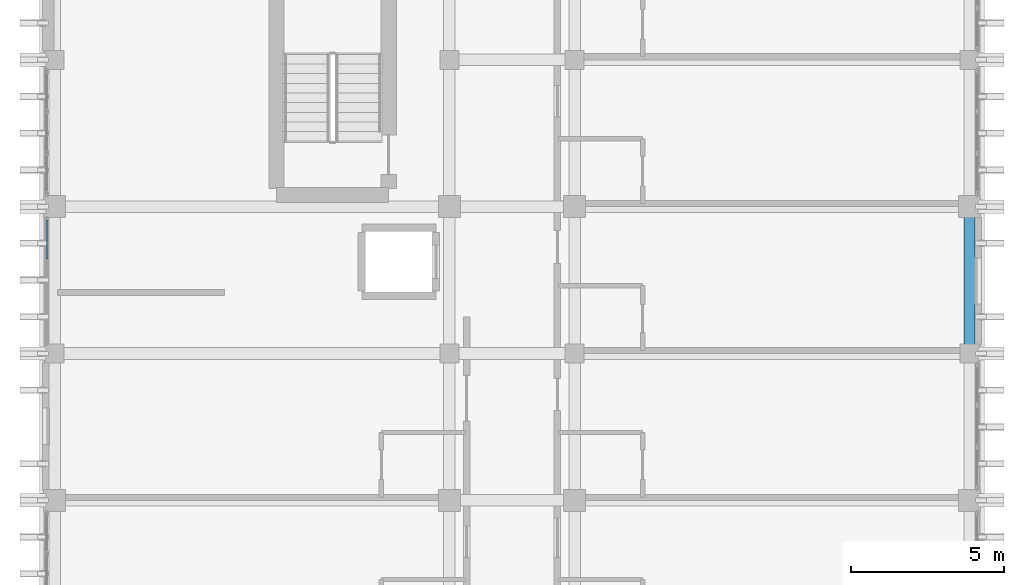
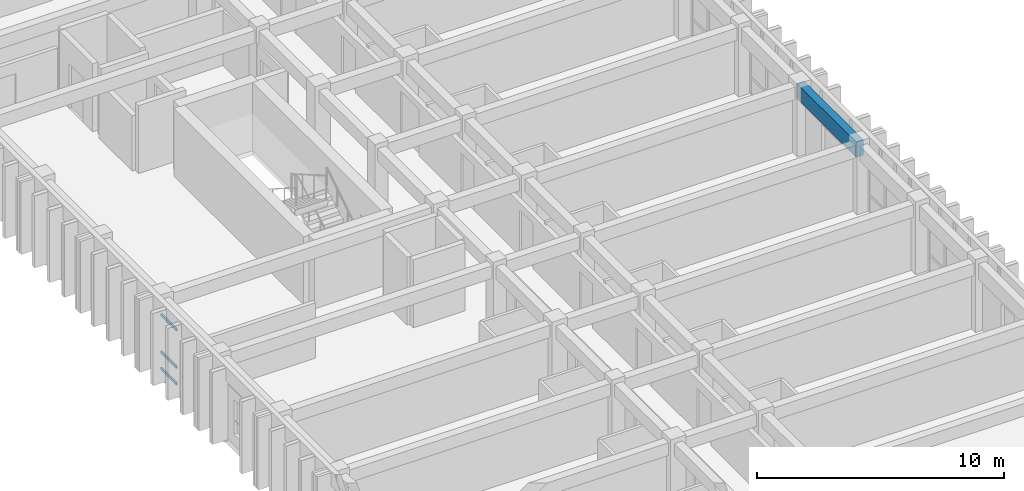
# One storey, part 17 of 59: 3 members, 1 beam, 1 element without a shape of its own.
"""IFC4 building model written with IfcOpenShell, lengths in metres."""

from ifc_helpers import new_model, si_unit, direction, frame, origin, origin_2d, place, context, subcontext, project, spatial, rectangle, hollow_rectangle, extrude, material, layer, layer_set, material_profile, profile_set, type_object, element, aggregate, save


model = new_model("IFC4")

# Units and contexts
model_context = context("Model", 3, precision=1e-05, world=origin(), true_north=direction((0.0, 1.0)))
body_context = subcontext(model_context, "Body", "Model", "MODEL_VIEW")
ifc_project = project(units=[si_unit("LENGTHUNIT", "METRE"), si_unit("AREAUNIT", "SQUARE_METRE"), si_unit("VOLUMEUNIT", "CUBIC_METRE"), si_unit("PLANEANGLEUNIT", "RADIAN"), si_unit("MASSUNIT", "GRAM", prefix="KILO")], contexts=[model_context])

# Site, building, storey
site_placement = place(None, origin())
site = spatial("IfcSite", under=ifc_project, at=site_placement, CompositionType="ELEMENT")
building_placement = place(site_placement, origin())
building = spatial("IfcBuilding", under=site, at=building_placement, Name="Nakhvara Creek Congress Hotel", CompositionType="ELEMENT")
storey_placement = place(building_placement, frame((0.0, 0.0, 31.800048828125)))
storey = spatial("IfcBuildingStorey", under=building, at=storey_placement, Name="L07", CompositionType="ELEMENT", Elevation=31.800048828125)

# Beam
ifc_material_1 = material(Name="Concrete C40/50", Category="concrete")
ifc_material_profile_1 = material_profile(ifc_material_1, rectangle(XDim=0.35009765625, YDim=0.75, at=origin_2d()), Name="RC-SPANDREL 350x750", Category="LoadBearing")
ifc_profile_set_1 = profile_set([ifc_material_profile_1], Name="Concrete C40/50")
beam_type = type_object("IfcBeamType", Name="BM-SPN-350X750", PredefinedType="SPANDREL", material=ifc_profile_set_1)
beam_placement = place(storey_placement, frame((179.35009765625, 72.0, 2.98486328125), z_axis=(0.0, 1.0, 0.0), x_axis=(-1.0, 0.0, 0.0)))
element("IfcBeam", 1, at=beam_placement, inside=storey, type_object=beam_type, Name="Beam SP1-L07-2396", PredefinedType="SPANDREL", context=body_context, shape_type="SweptSolid", body=[
    extrude(rectangle(XDim=0.35009765625, YDim=0.75, at=origin_2d()), origin(), (0.0, 0.0, 1.0), 4.800048828125),
])

# Curtain wall, members
ifc_material_2 = material(Name="Bronze-anodised aluminium AW-6063-T6 and double-silver low-E glass", Category="aluminium")
ifc_layer = layer(ifc_material_2, 0.199951171875)
ifc_layer_set = layer_set([ifc_layer], Name="Bronze-anodised aluminium AW-6063-T6 and double-silver low-E glass")
curtain_wall_type = type_object("IfcCurtainWallType", Name="CW-HTL-UNIT", PredefinedType="USERDEFINED", material=ifc_layer_set)
curtain_wall_placement = place(storey_placement, origin())
curtain_wall = element("IfcCurtainWall", 2, at=curtain_wall_placement, inside=storey, type_object=curtain_wall_type, Name="Curtain Wall CW260", ObjectType="UNITISED", PredefinedType="USERDEFINED")
ifc_material_3 = material(Name="Bronze-anodised aluminium AW-6063-T6", Category="aluminium")
ifc_material_profile_2 = material_profile(ifc_material_3, hollow_rectangle(XDim=0.06494140625, YDim=0.1201171875, WallThickness=0.00390625, at=origin_2d()), Name="ALU-TRAN 65x120x4", Category="LoadBearing")
ifc_profile_set_2 = profile_set([ifc_material_profile_2], Name="Bronze-anodised aluminium AW-6063-T6")
member_type = type_object("IfcMemberType", Name="CW-TRAN-120", PredefinedType="USERDEFINED", material=ifc_profile_set_2)
member_1_placement = place(storey_placement, frame((149.199951171875, 75.0908203125, 0.032470703125), z_axis=(0.0, 1.0, 0.0), x_axis=(-1.0, 0.0, 0.0)))
member_1 = element("IfcMember", 3, at=member_1_placement, type_object=member_type, Name="CW260 transom 3.1", ObjectType="TRANSOM", PredefinedType="USERDEFINED", context=body_context, shape_type="SweptSolid", body=[
    extrude(hollow_rectangle(XDim=0.06494140625, YDim=0.1201171875, WallThickness=0.00390625, at=origin_2d()), origin(), (0.0, 0.0, 1.0), 1.269287109375),
])
member_2_placement = place(storey_placement, frame((149.199951171875, 75.0908203125, 0.849853515625), z_axis=(0.0, 1.0, 0.0), x_axis=(-1.0, 0.0, 0.0)))
member_2 = element("IfcMember", 4, at=member_2_placement, type_object=member_type, Name="CW260 transom 3.2", ObjectType="TRANSOM", PredefinedType="USERDEFINED", context=body_context, shape_type="SweptSolid", body=[
    extrude(hollow_rectangle(XDim=0.06494140625, YDim=0.1201171875, WallThickness=0.00390625, at=origin_2d()), origin(), (0.0, 0.0, 1.0), 1.269287109375),
])
member_3_placement = place(storey_placement, frame((149.199951171875, 75.0908203125, 2.699462890625), z_axis=(0.0, 1.0, 0.0), x_axis=(-1.0, 0.0, 0.0)))
member_3 = element("IfcMember", 5, at=member_3_placement, type_object=member_type, Name="CW260 transom 3.3", ObjectType="TRANSOM", PredefinedType="USERDEFINED", context=body_context, shape_type="SweptSolid", body=[
    extrude(hollow_rectangle(XDim=0.06494140625, YDim=0.1201171875, WallThickness=0.00390625, at=origin_2d()), origin(), (0.0, 0.0, 1.0), 1.269287109375),
])
aggregate(curtain_wall, [member_1, member_2, member_3])

save(model, "model.ifc")
